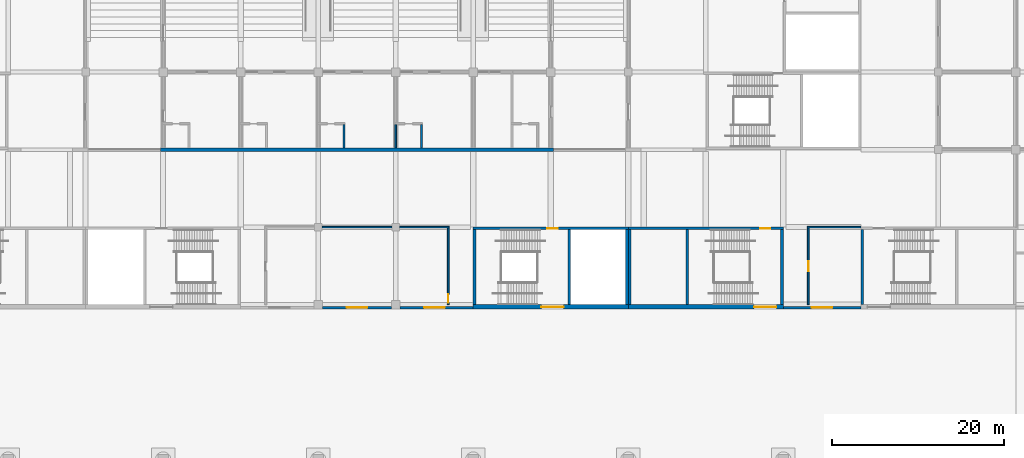
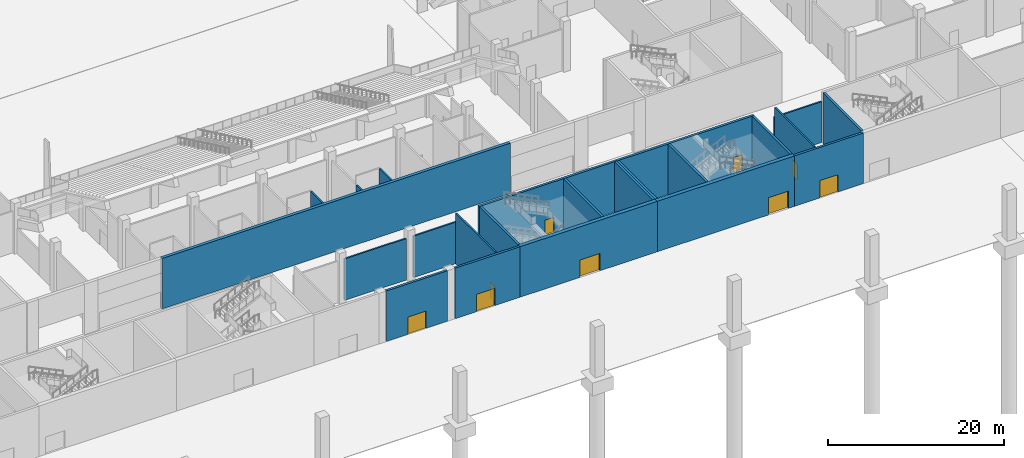
# One storey, part 31 of 92: 23 walls, 9 doors, 9 openings.
"""IFC4 building model written with IfcOpenShell, lengths in metres."""

import ifcopenshell
import ifcopenshell.guid

model = None  # the IFC model being written
_history = None  # IfcOwnerHistory: only IFC2X3 demands one
_inside = {}  # id of a spatial element -> (the spatial element, [elements in it])
_under = {}  # id of a project, library or spatial element -> (it, [spatial elements below it])
_declared = {}  # id of a project -> (the project, [libraries it declares])
_typed = {}  # id of a type object -> (the type object, [elements of that type])
_made_of = {}  # id of a material, layer set ... -> (it, [elements and type objects made of it])


def new_model(schema):
    """Start an empty IFC model of exactly this schema.

    Asked for "IFC4X3", IfcOpenShell would pick the latest addendum, in which some entities
    have other attributes; the version numbers below select the first issue.
    IFC2X3 requires an IfcOwnerHistory on every rooted entity: one is made here for all.
    """
    global model, _history
    if schema == "IFC4X3":
        model = ifcopenshell.file(schema_version=(4, 3, 0, 0))
    else:
        model = ifcopenshell.file(schema=schema)
    _inside.clear()
    _under.clear()
    _declared.clear()
    _typed.clear()
    _made_of.clear()
    _history = None
    if model.schema == "IFC2X3":
        org = make("IfcOrganization", Name="unknown")
        user = make(
            "IfcPersonAndOrganization",
            ThePerson=make("IfcPerson", FamilyName="unknown"),
            TheOrganization=org,
        )
        app = make(
            "IfcApplication",
            ApplicationDeveloper=org,
            Version="unknown",
            ApplicationFullName="unknown",
            ApplicationIdentifier="unknown",
        )
        _history = make(
            "IfcOwnerHistory",
            OwningUser=user,
            OwningApplication=app,
            ChangeAction="ADDED",
            CreationDate=0,
        )
    return model


def make(cls, **values):
    """One entity of the class cls with the attributes given. An attribute that is None is left unset."""
    return model.create_entity(
        cls, **{name: value for name, value in values.items() if value is not None}
    )


def rooted(cls, **values):
    """An entity with a GlobalId (a new one), such as an element, a storey or a relation."""
    return make(cls, GlobalId=ifcopenshell.guid.new(), OwnerHistory=_history, **values)


def si_unit(unit_type, name, prefix=None):
    """IfcSIUnit, for example si_unit("LENGTHUNIT", "METRE", prefix="MILLI")."""
    return make("IfcSIUnit", UnitType=unit_type, Prefix=prefix, Name=name)


def assignment(units):
    """IfcUnitAssignment: the units of a project."""
    return None if units is None else make("IfcUnitAssignment", Units=units)


def point(xyz):
    """IfcCartesianPoint."""
    return None if xyz is None else make("IfcCartesianPoint", Coordinates=xyz)


def direction(xyz):
    """IfcDirection."""
    return None if xyz is None else make("IfcDirection", DirectionRatios=xyz)


def frame(location, z_axis=None, x_axis=None):
    """IfcAxis2Placement3D, a coordinate frame: its origin and axes. An axis left out is left unset."""
    return make(
        "IfcAxis2Placement3D",
        Location=point(location),
        Axis=direction(z_axis),
        RefDirection=direction(x_axis),
    )


def frame_2d(location, x_axis=None):
    """IfcAxis2Placement2D, a coordinate frame in the plane: its origin and x axis."""
    return make(
        "IfcAxis2Placement2D", Location=point(location), RefDirection=direction(x_axis)
    )


def origin():
    """The frame at (0, 0, 0) with its axes left unset."""
    return frame((0.0, 0.0, 0.0))


def place(relative_to, where):
    """IfcLocalPlacement: puts the frame where relative to a parent placement (None: the world)."""
    return make(
        "IfcLocalPlacement", PlacementRelTo=relative_to, RelativePlacement=where
    )


def context(
    kind, dimensions, precision=None, world=None, true_north=None, identifier=None
):
    """IfcGeometricRepresentationContext, for example the 3D "Model" context."""
    return make(
        "IfcGeometricRepresentationContext",
        ContextIdentifier=identifier,
        ContextType=kind,
        CoordinateSpaceDimension=dimensions,
        Precision=precision,
        WorldCoordinateSystem=world,
        TrueNorth=true_north,
    )


def subcontext(parent, identifier, kind, view, scale=None):
    """IfcGeometricRepresentationSubContext, for example "Body" below "Model"."""
    return make(
        "IfcGeometricRepresentationSubContext",
        ContextIdentifier=identifier,
        ContextType=kind,
        ParentContext=parent,
        TargetScale=scale,
        TargetView=view,
    )


def project(units=None, contexts=None):
    """IfcProject with its units and contexts."""
    return rooted(
        "IfcProject",
        Name="project",
        RepresentationContexts=contexts,
        UnitsInContext=assignment(units),
    )


def spatial(cls, under=None, at=None, **own):
    """A site, building, storey or space (cls), placed at a placement, below another one or the project."""
    s = rooted(cls, ObjectPlacement=at, **own)
    if under is not None:
        _under.setdefault(under.id(), (under, []))[1].append(s)
    return s


def profile(cls, at=None, kind="AREA", **sizes):
    """A parametric profile (cls). Its sizes go by their IFC names, for example OverallWidth=200.0."""
    return make(cls, ProfileType=kind, Position=at, **sizes)


def rectangle(**sizes):
    """IfcRectangleProfileDef."""
    return profile("IfcRectangleProfileDef", **sizes)


def extrude(swept, where, along, depth):
    """IfcExtrudedAreaSolid: the profile swept, set in the frame where, extruded along a direction by depth."""
    return make(
        "IfcExtrudedAreaSolid",
        SweptArea=swept,
        Position=where,
        ExtrudedDirection=direction(along),
        Depth=depth,
    )


def shape(context_of_items, identifier, shape_type, items):
    """IfcShapeRepresentation: the items that make up one representation, for example the "Body"."""
    return make(
        "IfcShapeRepresentation",
        ContextOfItems=context_of_items,
        RepresentationIdentifier=identifier,
        RepresentationType=shape_type,
        Items=items,
    )


def material(Name=None, Category=None):
    """IfcMaterial."""
    return make("IfcMaterial", Name=Name, Category=Category)


def layer(
    of_material, thickness, ventilated=None, Name=None, Category=None, Priority=None
):
    """IfcMaterialLayer: one layer of a wall or slab, of a material (None: an air gap)."""
    return make(
        "IfcMaterialLayer",
        Material=of_material,
        LayerThickness=thickness,
        IsVentilated=ventilated,
        Name=Name,
        Category=Category,
        Priority=Priority,
    )


def layer_set(layers, Name=None):
    """IfcMaterialLayerSet."""
    return make("IfcMaterialLayerSet", MaterialLayers=layers, LayerSetName=Name)


def made_of(thing, what):
    """Note that an element or type object is made of a material, layer set ...; save() writes the relation."""
    if what is not None:
        _made_of.setdefault(what.id(), (what, []))[1].append(thing)
    return thing


def type_object(cls, material=None, **own):
    """A type object (cls), such as IfcWallType, which elements share."""
    return made_of(rooted(cls, **own), material)


def element(
    cls,
    number,
    at=None,
    inside=None,
    cuts=None,
    type_object=None,
    material=None,
    context=None,
    identifier="Body",
    shape_type=None,
    held_by="IfcProductDefinitionShape",
    body=None,
    shapes=None,
    **own,
):
    """One element of the class cls, such as IfcWall. Its Tag is "e" and its number.

    at: its placement. inside: the storey or other place that contains it. cuts: it is an
    opening in that element (IfcRelVoidsElement). A single representation is given by context,
    identifier, shape_type and body (its items); several are given by shapes. held_by: the class
    of the entity that holds the representations. save() writes the other relations.
    """
    e = rooted(cls, Tag="e%d" % number, ObjectPlacement=at, **own)
    if body is not None:
        shapes = [shape(context, identifier, shape_type, body)]
    if shapes is not None:
        e.Representation = make(held_by, Representations=shapes)
    if inside is not None:
        _inside.setdefault(inside.id(), (inside, []))[1].append(e)
    if cuts is not None:
        rooted(
            "IfcRelVoidsElement", RelatingBuildingElement=cuts, RelatedOpeningElement=e
        )
    if type_object is not None:
        _typed.setdefault(type_object.id(), (type_object, []))[1].append(e)
    return made_of(e, material)


def fill(opening, filler):
    """IfcRelFillsElement: the door or window that sits in an opening."""
    return rooted(
        "IfcRelFillsElement",
        RelatingOpeningElement=opening,
        RelatedBuildingElement=filler,
    )


def aggregate(whole, parts):
    """IfcRelAggregates: a whole, such as a stair, and the parts it consists of."""
    return rooted("IfcRelAggregates", RelatingObject=whole, RelatedObjects=parts)


def save(model, path):
    """Write the relations noted so far, then the file.

    IfcRelAggregates (storeys below a building ...), IfcRelContainedInSpatialStructure (elements
    in a storey), IfcRelDefinesByType, IfcRelAssociatesMaterial and IfcRelDeclares: one each for
    every whole, place, type object, material and project.
    """
    for whole, parts in _under.values():
        aggregate(whole, parts)
    for where, things in _inside.values():
        rooted(
            "IfcRelContainedInSpatialStructure",
            RelatedElements=things,
            RelatingStructure=where,
        )
    for kind, things in _typed.values():
        rooted("IfcRelDefinesByType", RelatedObjects=things, RelatingType=kind)
    for what, things in _made_of.values():
        rooted("IfcRelAssociatesMaterial", RelatedObjects=things, RelatingMaterial=what)
    for by, libraries in _declared.values():
        rooted("IfcRelDeclares", RelatingContext=by, RelatedDefinitions=libraries)
    model.write(path)


model = new_model("IFC4")

# Units and contexts
model_context = context("Model", 3, precision=1e-05, world=origin(), true_north=direction((0.0, 1.0)))
body_context = subcontext(model_context, "Body", "Model", "MODEL_VIEW")
ifc_project = project(units=[si_unit("LENGTHUNIT", "METRE"), si_unit("AREAUNIT", "SQUARE_METRE"), si_unit("VOLUMEUNIT", "CUBIC_METRE"), si_unit("PLANEANGLEUNIT", "RADIAN"), si_unit("MASSUNIT", "GRAM", prefix="KILO")], contexts=[model_context])

# Site, building, storey
site_placement = place(None, origin())
site = spatial("IfcSite", under=ifc_project, at=site_placement, CompositionType="ELEMENT")
building_placement = place(site_placement, origin())
building = spatial("IfcBuilding", under=site, at=building_placement, Name="Silverbay Arena", CompositionType="ELEMENT")
storey_placement = place(building_placement, origin())
storey = spatial("IfcBuildingStorey", under=building, at=storey_placement, Name="L00", CompositionType="ELEMENT", Elevation=0.0)

# Wall, opening, door
ifc_material_1 = material(Name="Concrete Grade C45 precast, board-marked finish", Category="concrete")
ifc_layer_1 = layer(ifc_material_1, 0.300048828125)
ifc_layer_set_1 = layer_set([ifc_layer_1], Name="Concrete Grade C45 precast, board-marked finish")
wall_type_1 = type_object("IfcWallType", Name="Board-marked precast wall 300", PredefinedType="SOLIDWALL", material=ifc_layer_set_1)
wall_1_placement = place(storey_placement, frame((126.5, 17.64990234375, 0.0), z_axis=(0.0, 0.0, 1.0), x_axis=(1.0, 0.0, 0.0)))
wall_1 = element("IfcWall", 1, at=wall_1_placement, inside=storey, type_object=wall_type_1, Name="South external wall L00 bay 12", PredefinedType="SOLIDWALL", context=body_context, shape_type="SweptSolid", body=[
    extrude(rectangle(XDim=8.0, YDim=0.300048828125, at=frame_2d((4.0, 0.0))), origin(), (0.0, 0.0, 1.0), 7.0),
])
opening_1_placement = place(wall_1_placement, frame((2.800048828125, 0.0, 0.0)))
opening_1 = element("IfcOpeningElement", 2, at=opening_1_placement, cuts=wall_1, Name="Opening L00-114", PredefinedType="OPENING", context=body_context, shape_type="SweptSolid", body=[
    extrude(rectangle(XDim=2.39990234375, YDim=2.39990234375, at=frame_2d((1.199951171875, 1.199951171875))), frame((0.0, 0.16015625, 0.0), z_axis=(0.0, -1.0, 0.0), x_axis=(1.0, 0.0, 0.0)), (0.0, 0.0, 1.0), 0.320068359375),
])
ifc_material_2 = material(Name="Steel", Category="steel")
door_type_1 = type_object("IfcDoorType", Name="Exit gate door 2400 x 2400", OperationType="DOUBLE_DOOR_SINGLE_SWING", PredefinedType="DOOR", material=ifc_material_2)
door_1_placement = place(opening_1_placement, frame((2.39990234375, 0.0, 0.0), z_axis=(0.0, 0.0, 1.0), x_axis=(-1.0, 0.0, 0.0)))
door_1 = element("IfcDoor", 3, at=door_1_placement, inside=storey, type_object=door_type_1, Name="Pedestrian exit gate G5", OperationType="DOUBLE_DOOR_SINGLE_SWING", OverallHeight=2.39990234375, OverallWidth=2.39990234375, PredefinedType="DOOR", context=body_context, shape_type="SweptSolid", body=[
    extrude(rectangle(XDim=2.39990234375, YDim=2.39990234375, at=frame_2d((1.199951171875, 1.199951171875))), frame((0.0, 0.02490234375, 0.0), z_axis=(0.0, -1.0, 0.0), x_axis=(1.0, 0.0, 0.0)), (0.0, 0.0, 1.0), 0.050048828125),
])
fill(opening_1, door_1)

wall_2_placement = place(storey_placement, frame((135.5, 17.64990234375, 0.0), z_axis=(0.0, 0.0, 1.0), x_axis=(1.0, 0.0, 0.0)))
wall_2 = element("IfcWall", 4, at=wall_2_placement, inside=storey, type_object=wall_type_1, Name="South external wall L00 bay 13", PredefinedType="SOLIDWALL", context=body_context, shape_type="SweptSolid", body=[
    extrude(rectangle(XDim=8.5, YDim=0.300048828125, at=frame_2d((4.25, 0.0))), origin(), (0.0, 0.0, 1.0), 7.0),
])
opening_2_placement = place(wall_2_placement, frame((2.800048828125, 0.0, 0.0)))
opening_2 = element("IfcOpeningElement", 5, at=opening_2_placement, cuts=wall_2, Name="Opening L00-115", PredefinedType="OPENING", context=body_context, shape_type="SweptSolid", body=[
    extrude(rectangle(XDim=2.39990234375, YDim=2.39990234375, at=frame_2d((1.199951171875, 1.199951171875))), frame((0.0, 0.16015625, 0.0), z_axis=(0.0, -1.0, 0.0), x_axis=(1.0, 0.0, 0.0)), (0.0, 0.0, 1.0), 0.320068359375),
])
door_2_placement = place(opening_2_placement, frame((2.39990234375, 0.0, 0.0), z_axis=(0.0, 0.0, 1.0), x_axis=(-1.0, 0.0, 0.0)))
door_2 = element("IfcDoor", 6, at=door_2_placement, inside=storey, type_object=door_type_1, Name="Pedestrian exit gate G6", OperationType="DOUBLE_DOOR_SINGLE_SWING", OverallHeight=2.39990234375, OverallWidth=2.39990234375, PredefinedType="DOOR", context=body_context, shape_type="SweptSolid", body=[
    extrude(rectangle(XDim=2.39990234375, YDim=2.39990234375, at=frame_2d((1.199951171875, 1.199951171875))), frame((0.0, 0.02490234375, 0.0), z_axis=(0.0, -1.0, 0.0), x_axis=(1.0, 0.0, 0.0)), (0.0, 0.0, 1.0), 0.050048828125),
])
fill(opening_2, door_2)

wall_3_placement = place(storey_placement, frame((180.0, 17.64990234375, 0.0), z_axis=(0.0, 0.0, 1.0), x_axis=(1.0, 0.0, 0.0)))
wall_3 = element("IfcWall", 7, at=wall_3_placement, inside=storey, type_object=wall_type_1, Name="South external wall L00 bay 18", PredefinedType="SOLIDWALL", context=body_context, shape_type="SweptSolid", body=[
    extrude(rectangle(XDim=9.0, YDim=0.300048828125, at=frame_2d((4.5, 0.0))), origin(), (0.0, 0.0, 1.0), 7.0),
])
opening_3_placement = place(wall_3_placement, frame((3.300048828125, 0.0, 0.0)))
opening_3 = element("IfcOpeningElement", 8, at=opening_3_placement, cuts=wall_3, Name="Opening L00-116", PredefinedType="OPENING", context=body_context, shape_type="SweptSolid", body=[
    extrude(rectangle(XDim=2.39990234375, YDim=2.39990234375, at=frame_2d((1.199951171875, 1.199951171875))), frame((0.0, 0.16015625, 0.0), z_axis=(0.0, -1.0, 0.0), x_axis=(1.0, 0.0, 0.0)), (0.0, 0.0, 1.0), 0.320068359375),
])
door_3_placement = place(opening_3_placement, frame((2.39990234375, 0.0, 0.0), z_axis=(0.0, 0.0, 1.0), x_axis=(-1.0, 0.0, 0.0)))
door_3 = element("IfcDoor", 9, at=door_3_placement, inside=storey, type_object=door_type_1, Name="Pedestrian exit gate G7", OperationType="DOUBLE_DOOR_SINGLE_SWING", OverallHeight=2.39990234375, OverallWidth=2.39990234375, PredefinedType="DOOR", context=body_context, shape_type="SweptSolid", body=[
    extrude(rectangle(XDim=2.39990234375, YDim=2.39990234375, at=frame_2d((1.199951171875, 1.199951171875))), frame((0.0, 0.02490234375, 0.0), z_axis=(0.0, -1.0, 0.0), x_axis=(1.0, 0.0, 0.0)), (0.0, 0.0, 1.0), 0.050048828125),
])
fill(opening_3, door_3)

ifc_material_3 = material(Name="Concrete Grade C45", Category="concrete")
ifc_layer_2 = layer(ifc_material_3, 0.300048828125)
ifc_layer_set_2 = layer_set([ifc_layer_2], Name="Concrete Grade C45")
wall_type_2 = type_object("IfcWallType", Name="Core wall RC 300 EI 120", PredefinedType="SHEAR", material=ifc_layer_set_2)
wall_4_placement = place(storey_placement, frame((144.0, 26.85009765625, 0.0), z_axis=(0.0, 0.0, 1.0), x_axis=(1.0, 0.0, 0.0)))
wall_4 = element("IfcWall", 10, at=wall_4_placement, inside=storey, type_object=wall_type_2, Name="Core wall ST-S3 L00 door side", PredefinedType="SHEAR", context=body_context, shape_type="SweptSolid", body=[
    extrude(rectangle(XDim=18.0, YDim=0.300048828125, at=frame_2d((9.0, 0.0))), origin(), (0.0, 0.0, 1.0), 7.0),
])
opening_4_placement = place(wall_4_placement, frame((8.60009765625, 0.0, 0.0)))
opening_4 = element("IfcOpeningElement", 11, at=opening_4_placement, cuts=wall_4, Name="Opening L00-162", PredefinedType="OPENING", context=body_context, shape_type="SweptSolid", body=[
    extrude(rectangle(XDim=1.199951171875, YDim=2.10009765625, at=frame_2d((0.60009765625, 1.050048828125))), frame((0.0, 0.16015625, 0.0), z_axis=(0.0, -1.0, 0.0), x_axis=(1.0, 0.0, 0.0)), (0.0, 0.0, 1.0), 0.320068359375),
])
ifc_material_4 = material(Name="Steel fire door", Category="steel")
door_type_2 = type_object("IfcDoorType", Name="Stair door 1200 x 2100 fire door", OperationType="SINGLE_SWING_LEFT", PredefinedType="DOOR", material=ifc_material_4)
door_4_placement = place(opening_4_placement, frame((1.199951171875, 0.0, 0.0), z_axis=(0.0, 0.0, 1.0), x_axis=(-1.0, 0.0, 0.0)))
door_4 = element("IfcDoor", 12, at=door_4_placement, inside=storey, type_object=door_type_2, Name="Stair door ST-S3 L00", OperationType="SINGLE_SWING_LEFT", OverallHeight=2.10009765625, OverallWidth=1.199951171875, PredefinedType="DOOR", context=body_context, shape_type="SweptSolid", body=[
    extrude(rectangle(XDim=1.199951171875, YDim=2.10009765625, at=frame_2d((0.60009765625, 1.050048828125))), frame((0.0, 0.02490234375, 0.0), z_axis=(0.0, -1.0, 0.0), x_axis=(1.0, 0.0, 0.0)), (0.0, 0.0, 1.0), 0.050048828125),
])
fill(opening_4, door_4)

# Walls
for number, where, z_axis, x_axis, name in (
    (13, (144.14990234375, 26.699951171875, 0.0), (0.0, 0.0, 1.0), (0.0, -1.0, 0.0), "Core wall ST-S3 L00 end 1"),
    (14, (161.85009765625, 26.699951171875, 0.0), (0.0, 0.0, 1.0), (0.0, -1.0, 0.0), "Core wall ST-S3 L00 end 2"),
    (15, (155.14990234375, 26.699951171875, 0.0), (0.0, 0.0, 1.0), (0.0, -1.0, 0.0), "Core wall ST-S3 L00 stair enclosure"),
):
    element("IfcWall", number, at=place(storey_placement, frame(where, z_axis=z_axis, x_axis=x_axis)), inside=storey, type_object=wall_type_2, Name=name, PredefinedType="SHEAR", context=body_context, shape_type="SweptSolid", body=[
        extrude(rectangle(XDim=8.699951171875, YDim=0.300048828125, at=frame_2d((4.35009765625, 0.0))), origin(), (0.0, 0.0, 1.0), 7.0),
    ])

# Wall, opening, door
wall_5_placement = place(storey_placement, frame((180.0, 26.85009765625, 0.0), z_axis=(0.0, 0.0, 1.0), x_axis=(-1.0, 0.0, 0.0)))
wall_5 = element("IfcWall", 16, at=wall_5_placement, inside=storey, type_object=wall_type_2, Name="Core wall ST-S4 L00 door side", PredefinedType="SHEAR", context=body_context, shape_type="SweptSolid", body=[
    extrude(rectangle(XDim=18.0, YDim=0.300048828125, at=frame_2d((9.0, 0.0))), origin(), (0.0, 0.0, 1.0), 7.0),
])
opening_5_placement = place(wall_5_placement, frame((1.5, 0.0, 0.0)))
opening_5 = element("IfcOpeningElement", 17, at=opening_5_placement, cuts=wall_5, Name="Opening L00-164", PredefinedType="OPENING", context=body_context, shape_type="SweptSolid", body=[
    extrude(rectangle(XDim=1.199951171875, YDim=2.10009765625, at=frame_2d((0.60009765625, 1.050048828125))), frame((0.0, 0.16015625, 0.0), z_axis=(0.0, -1.0, 0.0), x_axis=(1.0, 0.0, 0.0)), (0.0, 0.0, 1.0), 0.320068359375),
])
door_5_placement = place(opening_5_placement, origin())
door_5 = element("IfcDoor", 18, at=door_5_placement, inside=storey, type_object=door_type_2, Name="Stair door ST-S4 L00", OperationType="SINGLE_SWING_LEFT", OverallHeight=2.10009765625, OverallWidth=1.199951171875, PredefinedType="DOOR", context=body_context, shape_type="SweptSolid", body=[
    extrude(rectangle(XDim=1.199951171875, YDim=2.10009765625, at=frame_2d((0.60009765625, 1.050048828125))), frame((0.0, 0.02490234375, 0.0), z_axis=(0.0, -1.0, 0.0), x_axis=(1.0, 0.0, 0.0)), (0.0, 0.0, 1.0), 0.050048828125),
])
fill(opening_5, door_5)

# Walls
for number, where, z_axis, x_axis, name in (
    (19, (179.85009765625, 26.699951171875, 0.0), (0.0, 0.0, 1.0), (0.0, -1.0, 0.0), "Core wall ST-S4 L00 end 1"),
    (20, (162.14990234375, 26.699951171875, 0.0), (0.0, 0.0, 1.0), (0.0, -1.0, 0.0), "Core wall ST-S4 L00 end 2"),
    (21, (168.85009765625, 26.699951171875, 0.0), (0.0, 0.0, 1.0), (0.0, -1.0, 0.0), "Core wall ST-S4 L00 stair enclosure"),
    (22, (189.14990234375, 26.699951171875, 0.0), (0.0, 0.0, 1.0), (0.0, -1.0, 0.0), "Core wall ST-S6 L00 end 1"),
):
    element("IfcWall", number, at=place(storey_placement, frame(where, z_axis=z_axis, x_axis=x_axis)), inside=storey, type_object=wall_type_2, Name=name, PredefinedType="SHEAR", context=body_context, shape_type="SweptSolid", body=[
        extrude(rectangle(XDim=8.699951171875, YDim=0.300048828125, at=frame_2d((4.35009765625, 0.0))), origin(), (0.0, 0.0, 1.0), 7.0),
    ])

# Wall, opening, door
ifc_material_5 = material(Name="Concrete Grade C45", Category="concrete")
ifc_layer_3 = layer(ifc_material_5, 0.5)
ifc_layer_set_3 = layer_set([ifc_layer_3], Name="Concrete Grade C45")
wall_type_3 = type_object("IfcWallType", Name="Core wall RC 500 external EI 120", PredefinedType="SHEAR", material=ifc_layer_set_3)
wall_6_placement = place(storey_placement, frame((144.0, 17.75, 0.0), z_axis=(0.0, 0.0, 1.0), x_axis=(1.0, 0.0, 0.0)))
wall_6 = element("IfcWall", 23, at=wall_6_placement, inside=storey, type_object=wall_type_3, Name="Core wall ST-S3 L00 facade side", PredefinedType="SHEAR", context=body_context, shape_type="SweptSolid", body=[
    extrude(rectangle(XDim=18.0, YDim=0.5, at=frame_2d((9.0, 0.0))), origin(), (0.0, 0.0, 1.0), 7.0),
])
opening_6_placement = place(wall_6_placement, frame((7.89990234375, 0.0, 0.0)))
opening_6 = element("IfcOpeningElement", 24, at=opening_6_placement, cuts=wall_6, Name="Opening L00-163", PredefinedType="OPENING", context=body_context, shape_type="SweptSolid", body=[
    extrude(rectangle(XDim=2.60009765625, YDim=2.39990234375, at=frame_2d((1.300048828125, 1.199951171875))), frame((0.0, 0.260009765625, 0.0), z_axis=(0.0, -1.0, 0.0), x_axis=(1.0, 0.0, 0.0)), (0.0, 0.0, 1.0), 0.52001953125),
])
ifc_material_6 = material(Name="Steel and glass", Category="steel")
door_type_3 = type_object("IfcDoorType", Name="Exit door double leaf 2600 x 2400", OperationType="DOUBLE_DOOR_SINGLE_SWING", PredefinedType="DOOR", material=ifc_material_6)
door_6_placement = place(opening_6_placement, frame((2.60009765625, 0.0, 0.0), z_axis=(0.0, 0.0, 1.0), x_axis=(-1.0, 0.0, 0.0)))
door_6 = element("IfcDoor", 25, at=door_6_placement, inside=storey, type_object=door_type_3, Name="Pedestrian exit gate G63", OperationType="DOUBLE_DOOR_SINGLE_SWING", OverallHeight=2.39990234375, OverallWidth=2.60009765625, PredefinedType="DOOR", context=body_context, shape_type="SweptSolid", body=[
    extrude(rectangle(XDim=2.60009765625, YDim=2.39990234375, at=frame_2d((1.300048828125, 1.199951171875))), frame((0.0, 0.02490234375, 0.0), z_axis=(0.0, -1.0, 0.0), x_axis=(1.0, 0.0, 0.0)), (0.0, 0.0, 1.0), 0.050048828125),
])
fill(opening_6, door_6)

wall_7_placement = place(storey_placement, frame((180.0, 17.75, 0.0), z_axis=(0.0, 0.0, 1.0), x_axis=(-1.0, 0.0, 0.0)))
wall_7 = element("IfcWall", 26, at=wall_7_placement, inside=storey, type_object=wall_type_3, Name="Core wall ST-S4 L00 facade side", PredefinedType="SHEAR", context=body_context, shape_type="SweptSolid", body=[
    extrude(rectangle(XDim=18.0, YDim=0.5, at=frame_2d((9.0, 0.0))), origin(), (0.0, 0.0, 1.0), 7.0),
])
opening_7_placement = place(wall_7_placement, frame((0.800048828125, 0.0, 0.0)))
opening_7 = element("IfcOpeningElement", 27, at=opening_7_placement, cuts=wall_7, Name="Opening L00-165", PredefinedType="OPENING", context=body_context, shape_type="SweptSolid", body=[
    extrude(rectangle(XDim=2.60009765625, YDim=2.39990234375, at=frame_2d((1.300048828125, 1.199951171875))), frame((0.0, 0.260009765625, 0.0), z_axis=(0.0, -1.0, 0.0), x_axis=(1.0, 0.0, 0.0)), (0.0, 0.0, 1.0), 0.52001953125),
])
door_7_placement = place(opening_7_placement, origin())
door_7 = element("IfcDoor", 28, at=door_7_placement, inside=storey, type_object=door_type_3, Name="Pedestrian exit gate G64", OperationType="DOUBLE_DOOR_SINGLE_SWING", OverallHeight=2.39990234375, OverallWidth=2.60009765625, PredefinedType="DOOR", context=body_context, shape_type="SweptSolid", body=[
    extrude(rectangle(XDim=2.60009765625, YDim=2.39990234375, at=frame_2d((1.300048828125, 1.199951171875))), frame((0.0, 0.02490234375, 0.0), z_axis=(0.0, -1.0, 0.0), x_axis=(1.0, 0.0, 0.0)), (0.0, 0.0, 1.0), 0.050048828125),
])
fill(opening_7, door_7)

# Walls
ifc_material_7 = material(Name="Masonry blockwork partition", Category="masonry")
ifc_layer_4 = layer(ifc_material_7, 0.199951171875)
ifc_layer_set_4 = layer_set([ifc_layer_4], Name="Masonry blockwork partition")
wall_type_4 = type_object("IfcWallType", Name="Partition 200 EI 120", PredefinedType="PARTITIONING", material=ifc_layer_set_4)
wall_8_placement = place(storey_placement, frame((135.449951171875, 27.0, 0.0), z_axis=(0.0, 0.0, 1.0), x_axis=(1.0, 0.0, 0.0)))
element("IfcWall", 29, at=wall_8_placement, inside=storey, type_object=wall_type_4, Name="Partition wall", PredefinedType="PARTITIONING", context=body_context, shape_type="SweptSolid", body=[
    extrude(rectangle(XDim=5.75, YDim=0.199951171875, at=frame_2d((2.875, 0.0))), origin(), (0.0, 0.0, 1.0), 5.75),
])
wall_9_placement = place(storey_placement, frame((126.449951171875, 27.0, 0.0), z_axis=(0.0, 0.0, 1.0), x_axis=(1.0, 0.0, 0.0)))
element("IfcWall", 30, at=wall_9_placement, inside=storey, type_object=wall_type_4, Name="Partition wall", PredefinedType="PARTITIONING", context=body_context, shape_type="SweptSolid", body=[
    extrude(rectangle(XDim=8.10009765625, YDim=0.199951171875, at=frame_2d((4.050048828125, 0.0))), origin(), (0.0, 0.0, 1.0), 5.75),
])
wall_10_placement = place(storey_placement, frame((182.800048828125, 27.0, 0.0), z_axis=(0.0, 0.0, 1.0), x_axis=(1.0, 0.0, 0.0)))
element("IfcWall", 31, at=wall_10_placement, inside=storey, type_object=wall_type_4, Name="Partition wall", PredefinedType="PARTITIONING", context=body_context, shape_type="SweptSolid", body=[
    extrude(rectangle(XDim=6.199951171875, YDim=0.199951171875, at=frame_2d((3.10009765625, 0.0))), origin(), (0.0, 0.0, 1.0), 5.64990234375),
])

# Wall, opening, door
wall_11_placement = place(storey_placement, frame((141.10009765625, 18.0, 0.0), z_axis=(0.0, 0.0, 1.0), x_axis=(0.0, 1.0, 0.0)))
wall_11 = element("IfcWall", 32, at=wall_11_placement, inside=storey, type_object=wall_type_4, Name="Partition wall", PredefinedType="PARTITIONING", context=body_context, shape_type="SweptSolid", body=[
    extrude(rectangle(XDim=8.89990234375, YDim=0.199951171875, at=frame_2d((4.449951171875, 0.0))), origin(), (0.0, 0.0, 1.0), 7.0),
])
opening_8_placement = place(wall_11_placement, frame((0.199951171875, 0.0, 0.0)))
opening_8 = element("IfcOpeningElement", 33, at=opening_8_placement, cuts=wall_11, Name="Opening L00-091", PredefinedType="OPENING", context=body_context, shape_type="SweptSolid", body=[
    extrude(rectangle(XDim=1.0, YDim=2.10009765625, at=frame_2d((0.5, 1.050048828125))), frame((0.0, 0.10986328125, 0.0), z_axis=(0.0, -1.0, 0.0), x_axis=(1.0, 0.0, 0.0)), (0.0, 0.0, 1.0), 0.219970703125),
])
ifc_material_8 = material(Name="Steel faced timber", Category="steel")
door_type_4 = type_object("IfcDoorType", Name="Single leaf door 1000 x 2100 FD120", OperationType="SINGLE_SWING_LEFT", PredefinedType="DOOR", material=ifc_material_8)
door_8_placement = place(opening_8_placement, origin())
door_8 = element("IfcDoor", 34, at=door_8_placement, inside=storey, type_object=door_type_4, Name="Door L00-091", OperationType="SINGLE_SWING_LEFT", OverallHeight=2.10009765625, OverallWidth=1.0, PredefinedType="DOOR", context=body_context, shape_type="SweptSolid", body=[
    extrude(rectangle(XDim=1.0, YDim=2.10009765625, at=frame_2d((0.5, 1.050048828125))), frame((0.0, 0.02490234375, 0.0), z_axis=(0.0, -1.0, 0.0), x_axis=(1.0, 0.0, 0.0)), (0.0, 0.0, 1.0), 0.050048828125),
])
fill(opening_8, door_8)

wall_12_placement = place(storey_placement, frame((182.89990234375, 18.0, 0.0), z_axis=(0.0, 0.0, 1.0), x_axis=(0.0, 1.0, 0.0)))
wall_12 = element("IfcWall", 35, at=wall_12_placement, inside=storey, type_object=wall_type_4, Name="Partition wall", PredefinedType="PARTITIONING", context=body_context, shape_type="SweptSolid", body=[
    extrude(rectangle(XDim=8.89990234375, YDim=0.199951171875, at=frame_2d((4.449951171875, 0.0))), origin(), (0.0, 0.0, 1.0), 7.0),
])
opening_9_placement = place(wall_12_placement, frame((3.85009765625, 0.0, 0.0)))
opening_9 = element("IfcOpeningElement", 36, at=opening_9_placement, cuts=wall_12, Name="Opening L00-003", PredefinedType="OPENING", context=body_context, shape_type="SweptSolid", body=[
    extrude(rectangle(XDim=1.199951171875, YDim=2.10009765625, at=frame_2d((0.60009765625, 1.050048828125))), frame((0.0, 0.10986328125, 0.0), z_axis=(0.0, -1.0, 0.0), x_axis=(1.0, 0.0, 0.0)), (0.0, 0.0, 1.0), 0.219970703125),
])
ifc_material_9 = material(Name="Steel faced timber", Category="steel")
door_type_5 = type_object("IfcDoorType", Name="Single leaf door 1200 x 2100 FD60", OperationType="SINGLE_SWING_LEFT", PredefinedType="DOOR", material=ifc_material_9)
door_9_placement = place(opening_9_placement, frame((1.199951171875, 0.0, 0.0), z_axis=(0.0, 0.0, 1.0), x_axis=(-1.0, 0.0, 0.0)))
door_9 = element("IfcDoor", 37, at=door_9_placement, inside=storey, type_object=door_type_5, Name="Door L00-003", OperationType="SINGLE_SWING_RIGHT", OverallHeight=2.10009765625, OverallWidth=1.199951171875, PredefinedType="DOOR", context=body_context, shape_type="SweptSolid", body=[
    extrude(rectangle(XDim=1.199951171875, YDim=2.10009765625, at=frame_2d((0.60009765625, 1.050048828125))), frame((0.0, 0.02490234375, 0.0), z_axis=(0.0, -1.0, 0.0), x_axis=(1.0, 0.0, 0.0)), (0.0, 0.0, 1.0), 0.050048828125),
])
fill(opening_9, door_9)

# Walls
ifc_material_10 = material(Name="Gypsum board partition on steel studs", Category="steel")
ifc_layer_5 = layer(ifc_material_10, 0.199951171875)
ifc_layer_set_5 = layer_set([ifc_layer_5], Name="Gypsum board partition on steel studs")
wall_type_5 = type_object("IfcWallType", Name="Partition 200 plain", PredefinedType="PARTITIONING", material=ifc_layer_set_5)
wall_13_placement = place(storey_placement, frame((129.0, 36.199951171875, 0.0), z_axis=(0.0, 0.0, 1.0), x_axis=(0.0, 1.0, 0.0)))
element("IfcWall", 38, at=wall_13_placement, inside=storey, type_object=wall_type_5, Name="Partition wall", PredefinedType="PARTITIONING", context=body_context, shape_type="SweptSolid", body=[
    extrude(rectangle(XDim=2.699951171875, YDim=0.199951171875, at=frame_2d((1.35009765625, 0.0))), origin(), (0.0, 0.0, 1.0), 7.0),
])
wall_14_placement = place(storey_placement, frame((135.0, 36.199951171875, 0.0), z_axis=(0.0, 0.0, 1.0), x_axis=(0.0, 1.0, 0.0)))
element("IfcWall", 39, at=wall_14_placement, inside=storey, type_object=wall_type_5, Name="Partition wall", PredefinedType="PARTITIONING", context=body_context, shape_type="SweptSolid", body=[
    extrude(rectangle(XDim=2.699951171875, YDim=0.199951171875, at=frame_2d((1.35009765625, 0.0))), origin(), (0.0, 0.0, 1.0), 5.75),
])
wall_15_placement = place(storey_placement, frame((138.0, 36.199951171875, 0.0), z_axis=(0.0, 0.0, 1.0), x_axis=(0.0, 1.0, 0.0)))
element("IfcWall", 40, at=wall_15_placement, inside=storey, type_object=wall_type_5, Name="Partition wall", PredefinedType="PARTITIONING", context=body_context, shape_type="SweptSolid", body=[
    extrude(rectangle(XDim=2.699951171875, YDim=0.199951171875, at=frame_2d((1.35009765625, 0.0))), origin(), (0.0, 0.0, 1.0), 7.0),
])
ifc_material_11 = material(Name="Concrete Grade C45", Category="concrete")
ifc_layer_6 = layer(ifc_material_11, 0.39990234375)
ifc_layer_set_6 = layer_set([ifc_layer_6], Name="Concrete Grade C45")
wall_type_6 = type_object("IfcWallType", Name="RC back wall 400 EI 120", PredefinedType="SOLIDWALL", material=ifc_layer_set_6)
wall_16_placement = place(storey_placement, frame((107.699951171875, 36.0, 0.0), z_axis=(0.0, 0.0, 1.0), x_axis=(1.0, 0.0, 0.0)))
element("IfcWall", 41, at=wall_16_placement, inside=storey, type_object=wall_type_6, Name="Bowl back wall L00 03", PredefinedType="SOLIDWALL", context=body_context, shape_type="SweptSolid", body=[
    extrude(rectangle(XDim=45.60009765625, YDim=0.39990234375, at=frame_2d((22.800048828125, 0.0))), origin(), (0.0, 0.0, 1.0), 7.0),
])

save(model, "model.ifc")
